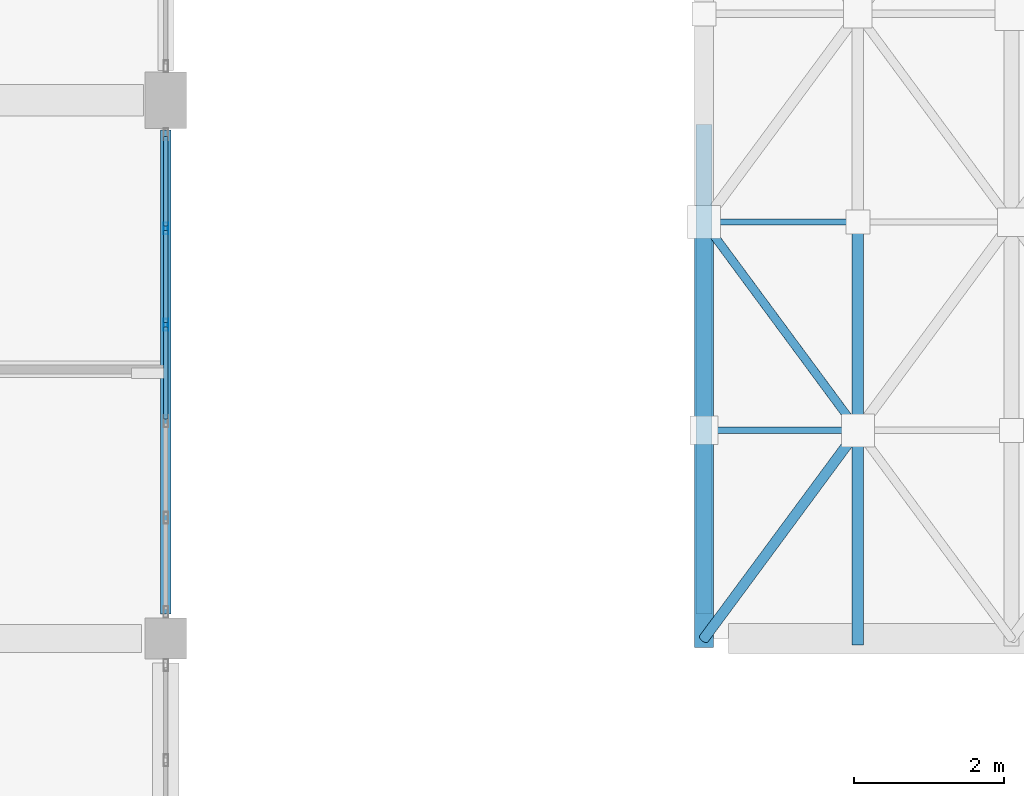
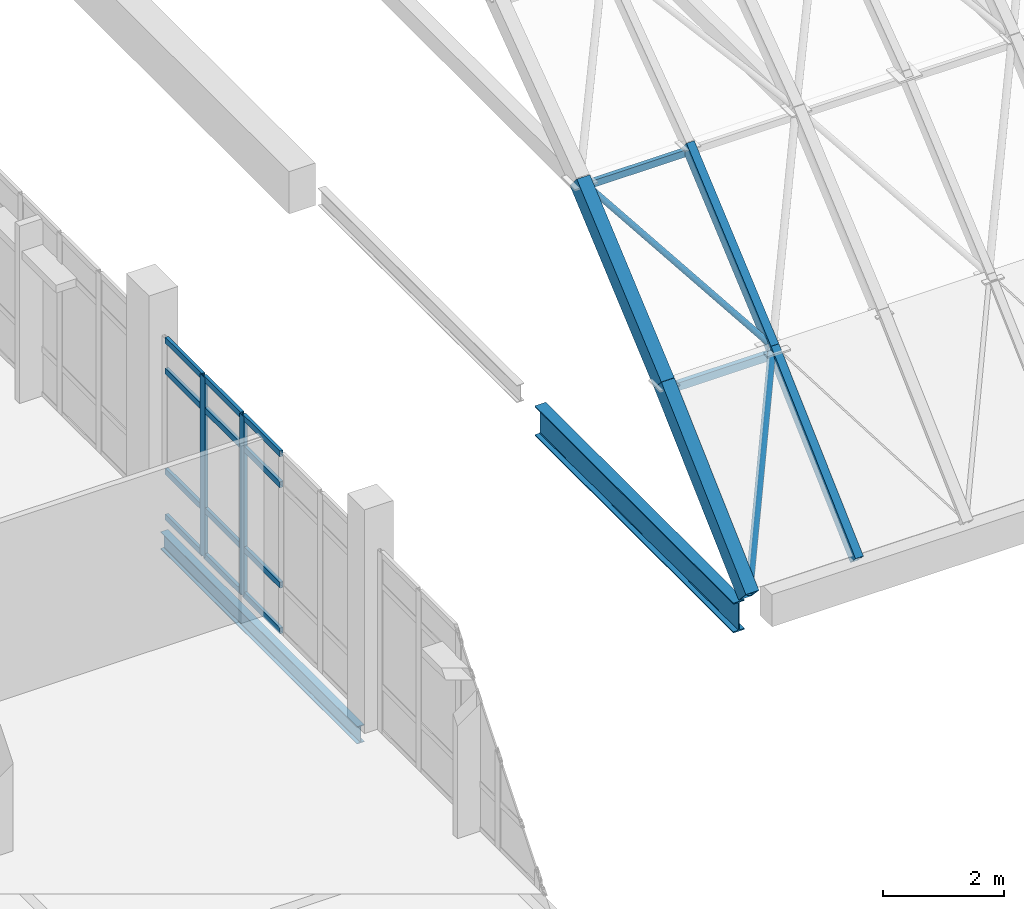
# One storey, part 22 of 87: 22 members, 2 beams, 1 element without a shape of its own.
"""IFC4 building model written with IfcOpenShell, lengths in metres."""

from ifc_helpers import new_model, si_unit, direction, frame, origin, origin_2d, place, context, subcontext, project, spatial, hollow_rectangle, hollow_circle, i_section, extrude, material, material_profile, profile_set, type_object, element, aggregate, save


model = new_model("IFC4")

# Units and contexts
model_context = context("Model", 3, precision=1e-05, world=origin(), true_north=direction((0.0, 1.0)))
body_context = subcontext(model_context, "Body", "Model", "MODEL_VIEW")
ifc_project = project(units=[si_unit("LENGTHUNIT", "METRE"), si_unit("AREAUNIT", "SQUARE_METRE"), si_unit("VOLUMEUNIT", "CUBIC_METRE"), si_unit("PLANEANGLEUNIT", "RADIAN"), si_unit("MASSUNIT", "GRAM", prefix="KILO")], contexts=[model_context])

# Site, building, storey
site_placement = place(None, origin())
site = spatial("IfcSite", under=ifc_project, at=site_placement, CompositionType="ELEMENT")
building_placement = place(site_placement, origin())
building = spatial("IfcBuilding", under=site, at=building_placement, Name="Kalluvel Institute of Natural Sciences", CompositionType="ELEMENT")
storey_placement = place(building_placement, frame((0.0, 0.0, 18.89990234375)))
storey = spatial("IfcBuildingStorey", under=building, at=storey_placement, Name="L04", CompositionType="ELEMENT", Elevation=18.89990234375)

# Beams
ifc_material_1 = material(Name="Steel E350 Grade 350", Category="steel")
ifc_material_profile_1 = material_profile(ifc_material_1, i_section(OverallWidth=0.139892578125, OverallDepth=0.35009765625, WebThickness=0.008056640625, FlangeThickness=0.01416015625, FilletRadius=0.013916015625, at=origin_2d()), Name="ISMB 350")
ifc_profile_set_1 = profile_set([ifc_material_profile_1], Name="Steel E350 Grade 350")
beam_type_1 = type_object("IfcBeamType", Name="BM-ISMB350", PredefinedType="BEAM", material=ifc_profile_set_1)
beam_1_placement = place(storey_placement, frame((35.60009765625, 71.925048828125, -0.474853515625), z_axis=(0.0, 1.0, 0.0), x_axis=(-1.0, 0.0, 0.0)))
element("IfcBeam", 1, at=beam_1_placement, inside=storey, type_object=beam_type_1, Name="L04 girder GIR-L04-NS-X356-Y716", PredefinedType="BEAM", context=body_context, shape_type="SweptSolid", body=[
    extrude(i_section(OverallWidth=0.139892578125, OverallDepth=0.35009765625, WebThickness=0.008056640625, FlangeThickness=0.01416015625, FilletRadius=0.013916015625, at=origin_2d()), origin(), (0.0, 0.0, 1.0), 6.474853515625),
])
ifc_material_profile_2 = material_profile(ifc_material_1, i_section(OverallWidth=0.2099609375, OverallDepth=0.60009765625, WebThickness=0.011962890625, FlangeThickness=0.020751953125, FilletRadius=0.02001953125, at=origin_2d()), Name="ISMB 600")
ifc_profile_set_2 = profile_set([ifc_material_profile_2], Name="Steel E350 Grade 350")
beam_type_2 = type_object("IfcBeamType", Name="BM-ISMB600", PredefinedType="BEAM", material=ifc_profile_set_2)
beam_2_placement = place(storey_placement, frame((42.800048828125, 71.925048828125, -0.619873046875), z_axis=(0.0, 1.0, 0.0), x_axis=(-1.0, 0.0, 0.0)))
element("IfcBeam", 2, at=beam_2_placement, inside=storey, type_object=beam_type_2, Name="L04 girder GIR-L04-NS-X428-Y716", PredefinedType="BEAM", context=body_context, shape_type="SweptSolid", body=[
    extrude(i_section(OverallWidth=0.2099609375, OverallDepth=0.60009765625, WebThickness=0.011962890625, FlangeThickness=0.020751953125, FilletRadius=0.02001953125, at=origin_2d()), origin(), (0.0, 0.0, 1.0), 6.550048828125),
])

# Curtain wall, members
ifc_material_2 = material(Name="Aluminium AW-6063 T6", Category="aluminium")
curtain_wall_type = type_object("IfcCurtainWallType", Name="CW-DRY-45", PredefinedType="USERDEFINED", material=ifc_material_2)
curtain_wall_placement = place(storey_placement, origin())
curtain_wall = element("IfcCurtainWall", 3, at=curtain_wall_placement, inside=storey, type_object=curtain_wall_type, Name="L04 Gothic lancet curtain wall CWA-L04-X356-Y719", ObjectType="UNITISED LANCET FACADE", PredefinedType="USERDEFINED")
ifc_material_profile_3 = material_profile(ifc_material_2, hollow_rectangle(XDim=0.06005859375, YDim=0.159912109375, WallThickness=0.00390625, at=origin_2d()), Name="CWM 60x160")
ifc_profile_set_3 = profile_set([ifc_material_profile_3], Name="Aluminium AW-6063 T6")
member_type_1 = type_object("IfcMemberType", Name="CWM-60x160", PredefinedType="MULLION", material=ifc_profile_set_3)
member_1_placement = place(storey_placement, frame((35.60009765625, 75.794921875, 0.0), z_axis=(0.0, 0.0, 1.0), x_axis=(-1.0, 0.0, 0.0)))
member_1 = element("IfcMember", 4, at=member_1_placement, type_object=member_type_1, Name="CW-03 mullion 4", PredefinedType="MULLION", context=body_context, shape_type="SweptSolid", body=[
    extrude(hollow_rectangle(XDim=0.06005859375, YDim=0.159912109375, WallThickness=0.00390625, at=origin_2d()), origin(), (0.0, 0.0, 1.0), 3.6201171875),
])
member_2_placement = place(storey_placement, frame((35.60009765625, 77.0849609375, 0.0), z_axis=(0.0, 0.0, 1.0), x_axis=(-1.0, 0.0, 0.0)))
member_2 = element("IfcMember", 5, at=member_2_placement, type_object=member_type_1, Name="CW-03 mullion 5", PredefinedType="MULLION", context=body_context, shape_type="SweptSolid", body=[
    extrude(hollow_rectangle(XDim=0.06005859375, YDim=0.159912109375, WallThickness=0.00390625, at=origin_2d()), origin(), (0.0, 0.0, 1.0), 3.6201171875),
])
ifc_material_profile_4 = material_profile(ifc_material_2, hollow_rectangle(XDim=0.06005859375, YDim=0.1201171875, WallThickness=0.00390625, at=origin_2d()), Name="CWT 60x120")
ifc_profile_set_4 = profile_set([ifc_material_profile_4], Name="Aluminium AW-6063 T6")
member_type_2 = type_object("IfcMemberType", Name="CWT-60x120", PredefinedType="USERDEFINED", material=ifc_profile_set_4)
member_3_placement = place(storey_placement, frame((35.60009765625, 74.534912109375, 0.030029296875), z_axis=(0.0, 1.0, 0.0), x_axis=(-1.0, 0.0, 0.0)))
member_3 = element("IfcMember", 6, at=member_3_placement, type_object=member_type_2, Name="CW-03 transom 3.1", ObjectType="TRANSOM", PredefinedType="USERDEFINED", context=body_context, shape_type="SweptSolid", body=[
    extrude(hollow_rectangle(XDim=0.06005859375, YDim=0.1201171875, WallThickness=0.00390625, at=origin_2d()), origin(), (0.0, 0.0, 1.0), 1.22998046875),
])
member_4_placement = place(storey_placement, frame((35.60009765625, 74.534912109375, 0.9501953125), z_axis=(0.0, 1.0, 0.0), x_axis=(-1.0, 0.0, 0.0)))
member_4 = element("IfcMember", 7, at=member_4_placement, type_object=member_type_2, Name="CW-03 transom 3.2", ObjectType="TRANSOM", PredefinedType="USERDEFINED", context=body_context, shape_type="SweptSolid", body=[
    extrude(hollow_rectangle(XDim=0.06005859375, YDim=0.1201171875, WallThickness=0.00390625, at=origin_2d()), origin(), (0.0, 0.0, 1.0), 1.22998046875),
])
member_5_placement = place(storey_placement, frame((35.60009765625, 74.534912109375, 2.97021484375), z_axis=(0.0, 1.0, 0.0), x_axis=(-1.0, 0.0, 0.0)))
member_5 = element("IfcMember", 8, at=member_5_placement, type_object=member_type_2, Name="CW-03 transom 3.3", ObjectType="TRANSOM", PredefinedType="USERDEFINED", context=body_context, shape_type="SweptSolid", body=[
    extrude(hollow_rectangle(XDim=0.06005859375, YDim=0.1201171875, WallThickness=0.00390625, at=origin_2d()), origin(), (0.0, 0.0, 1.0), 1.22998046875),
])
member_6_placement = place(storey_placement, frame((35.60009765625, 74.534912109375, 3.590087890625), z_axis=(0.0, 1.0, 0.0), x_axis=(-1.0, 0.0, 0.0)))
member_6 = element("IfcMember", 9, at=member_6_placement, type_object=member_type_2, Name="CW-03 transom 3.4", ObjectType="TRANSOM", PredefinedType="USERDEFINED", context=body_context, shape_type="SweptSolid", body=[
    extrude(hollow_rectangle(XDim=0.06005859375, YDim=0.1201171875, WallThickness=0.00390625, at=origin_2d()), origin(), (0.0, 0.0, 1.0), 1.22998046875),
])
member_7_placement = place(storey_placement, frame((35.60009765625, 75.824951171875, 0.030029296875), z_axis=(0.0, 1.0, 0.0), x_axis=(-1.0, 0.0, 0.0)))
member_7 = element("IfcMember", 10, at=member_7_placement, type_object=member_type_2, Name="CW-03 transom 4.1", ObjectType="TRANSOM", PredefinedType="USERDEFINED", context=body_context, shape_type="SweptSolid", body=[
    extrude(hollow_rectangle(XDim=0.06005859375, YDim=0.1201171875, WallThickness=0.00390625, at=origin_2d()), origin(), (0.0, 0.0, 1.0), 1.22998046875),
])
member_8_placement = place(storey_placement, frame((35.60009765625, 75.824951171875, 0.9501953125), z_axis=(0.0, 1.0, 0.0), x_axis=(-1.0, 0.0, 0.0)))
member_8 = element("IfcMember", 11, at=member_8_placement, type_object=member_type_2, Name="CW-03 transom 4.2", ObjectType="TRANSOM", PredefinedType="USERDEFINED", context=body_context, shape_type="SweptSolid", body=[
    extrude(hollow_rectangle(XDim=0.06005859375, YDim=0.1201171875, WallThickness=0.00390625, at=origin_2d()), origin(), (0.0, 0.0, 1.0), 1.22998046875),
])
member_9_placement = place(storey_placement, frame((35.60009765625, 75.824951171875, 2.97021484375), z_axis=(0.0, 1.0, 0.0), x_axis=(-1.0, 0.0, 0.0)))
member_9 = element("IfcMember", 12, at=member_9_placement, type_object=member_type_2, Name="CW-03 transom 4.3", ObjectType="TRANSOM", PredefinedType="USERDEFINED", context=body_context, shape_type="SweptSolid", body=[
    extrude(hollow_rectangle(XDim=0.06005859375, YDim=0.1201171875, WallThickness=0.00390625, at=origin_2d()), origin(), (0.0, 0.0, 1.0), 1.22998046875),
])
member_10_placement = place(storey_placement, frame((35.60009765625, 75.824951171875, 3.590087890625), z_axis=(0.0, 1.0, 0.0), x_axis=(-1.0, 0.0, 0.0)))
member_10 = element("IfcMember", 13, at=member_10_placement, type_object=member_type_2, Name="CW-03 transom 4.4", ObjectType="TRANSOM", PredefinedType="USERDEFINED", context=body_context, shape_type="SweptSolid", body=[
    extrude(hollow_rectangle(XDim=0.06005859375, YDim=0.1201171875, WallThickness=0.00390625, at=origin_2d()), origin(), (0.0, 0.0, 1.0), 1.22998046875),
])
member_11_placement = place(storey_placement, frame((35.60009765625, 77.114990234375, 0.030029296875), z_axis=(0.0, 1.0, 0.0), x_axis=(-1.0, 0.0, 0.0)))
member_11 = element("IfcMember", 14, at=member_11_placement, type_object=member_type_2, Name="CW-03 transom 5.1", ObjectType="TRANSOM", PredefinedType="USERDEFINED", context=body_context, shape_type="SweptSolid", body=[
    extrude(hollow_rectangle(XDim=0.06005859375, YDim=0.1201171875, WallThickness=0.00390625, at=origin_2d()), origin(), (0.0, 0.0, 1.0), 1.199951171875),
])
member_12_placement = place(storey_placement, frame((35.60009765625, 77.114990234375, 0.9501953125), z_axis=(0.0, 1.0, 0.0), x_axis=(-1.0, 0.0, 0.0)))
member_12 = element("IfcMember", 15, at=member_12_placement, type_object=member_type_2, Name="CW-03 transom 5.2", ObjectType="TRANSOM", PredefinedType="USERDEFINED", context=body_context, shape_type="SweptSolid", body=[
    extrude(hollow_rectangle(XDim=0.06005859375, YDim=0.1201171875, WallThickness=0.00390625, at=origin_2d()), origin(), (0.0, 0.0, 1.0), 1.199951171875),
])
member_13_placement = place(storey_placement, frame((35.60009765625, 77.114990234375, 2.97021484375), z_axis=(0.0, 1.0, 0.0), x_axis=(-1.0, 0.0, 0.0)))
member_13 = element("IfcMember", 16, at=member_13_placement, type_object=member_type_2, Name="CW-03 transom 5.3", ObjectType="TRANSOM", PredefinedType="USERDEFINED", context=body_context, shape_type="SweptSolid", body=[
    extrude(hollow_rectangle(XDim=0.06005859375, YDim=0.1201171875, WallThickness=0.00390625, at=origin_2d()), origin(), (0.0, 0.0, 1.0), 1.199951171875),
])
member_14_placement = place(storey_placement, frame((35.60009765625, 77.114990234375, 3.590087890625), z_axis=(0.0, 1.0, 0.0), x_axis=(-1.0, 0.0, 0.0)))
member_14 = element("IfcMember", 17, at=member_14_placement, type_object=member_type_2, Name="CW-03 transom 5.4", ObjectType="TRANSOM", PredefinedType="USERDEFINED", context=body_context, shape_type="SweptSolid", body=[
    extrude(hollow_rectangle(XDim=0.06005859375, YDim=0.1201171875, WallThickness=0.00390625, at=origin_2d()), origin(), (0.0, 0.0, 1.0), 1.199951171875),
])
aggregate(curtain_wall, [member_1, member_2, member_3, member_4, member_5, member_6, member_7, member_8, member_9, member_10, member_11, member_12, member_13, member_14])

# Members
ifc_material_profile_5 = material_profile(ifc_material_1, hollow_rectangle(XDim=0.14990234375, YDim=0.25, WallThickness=0.010009765625, at=origin_2d()), Name="RHS 250x150x10")
ifc_profile_set_5 = profile_set([ifc_material_profile_5], Name="Steel E350 Grade 350")
member_type_3 = type_object("IfcMemberType", Name="MB-ARCH-SEG250", PredefinedType="USERDEFINED", material=ifc_profile_set_5)
member_15_placement = place(storey_placement, frame((44.857177734375, 71.60009765625, 0.0), z_axis=(0.0, 0.733088696682, 0.680133047864), x_axis=(-1.0, 0.0, 0.0)))
element("IfcMember", 18, at=member_15_placement, inside=storey, type_object=member_type_3, Name="Atrium gridshell pointed arch segment 9", ObjectType="ARCH_SEGMENT", PredefinedType="USERDEFINED", context=body_context, shape_type="SweptSolid", body=[
    extrude(hollow_rectangle(XDim=0.14990234375, YDim=0.25, WallThickness=0.010009765625, at=origin_2d()), origin(), (0.0, 0.0, 1.0), 3.798828125),
])
member_16_placement = place(storey_placement, frame((44.857177734375, 74.385009765625, 2.583740234375), z_axis=(0.0, 0.758448754264, 0.651732680748), x_axis=(-1.0, 0.0, 0.0)))
element("IfcMember", 19, at=member_16_placement, inside=storey, type_object=member_type_3, Name="Atrium gridshell pointed arch segment 10", ObjectType="ARCH_SEGMENT", PredefinedType="USERDEFINED", context=body_context, shape_type="SweptSolid", body=[
    extrude(hollow_rectangle(XDim=0.14990234375, YDim=0.25, WallThickness=0.010009765625, at=origin_2d()), origin(), (0.0, 0.0, 1.0), 3.671875),
])
ifc_material_profile_6 = material_profile(ifc_material_1, hollow_rectangle(XDim=0.25, YDim=0.35009765625, WallThickness=0.012451171875, at=origin_2d()), Name="RHS 350x250x12")
ifc_profile_set_6 = profile_set([ifc_material_profile_6], Name="Steel E350 Grade 350")
member_type_4 = type_object("IfcMemberType", Name="MB-ARCH-SEG350", PredefinedType="USERDEFINED", material=ifc_profile_set_6)
member_17_placement = place(storey_placement, frame((42.800048828125, 71.60009765625, 0.0), z_axis=(0.0, 0.733088696682, 0.680133047864), x_axis=(-1.0, 0.0, 0.0)))
element("IfcMember", 20, at=member_17_placement, inside=storey, type_object=member_type_4, Name="Atrium gridshell pointed arch segment 1", ObjectType="ARCH_SEGMENT", PredefinedType="USERDEFINED", context=body_context, shape_type="SweptSolid", body=[
    extrude(hollow_rectangle(XDim=0.25, YDim=0.35009765625, WallThickness=0.012451171875, at=origin_2d()), origin(), (0.0, 0.0, 1.0), 3.798828125),
])
member_18_placement = place(storey_placement, frame((42.800048828125, 74.385009765625, 2.583740234375), z_axis=(0.0, 0.758448754264, 0.651732680748), x_axis=(-1.0, 0.0, 0.0)))
element("IfcMember", 21, at=member_18_placement, inside=storey, type_object=member_type_4, Name="Atrium gridshell pointed arch segment 2", ObjectType="ARCH_SEGMENT", PredefinedType="USERDEFINED", context=body_context, shape_type="SweptSolid", body=[
    extrude(hollow_rectangle(XDim=0.25, YDim=0.35009765625, WallThickness=0.012451171875, at=origin_2d()), origin(), (0.0, 0.0, 1.0), 3.671875),
])
ifc_material_profile_7 = material_profile(ifc_material_1, hollow_circle(Radius=0.05712890625, WallThickness=0.006103515625, at=origin_2d()), Name="CHS 114.3x6.0")
ifc_profile_set_7 = profile_set([ifc_material_profile_7], Name="Steel E350 Grade 350")
member_type_5 = type_object("IfcMemberType", Name="MB-BR-CHS114", PredefinedType="BRACE", material=ifc_profile_set_7)
member_19_placement = place(storey_placement, frame((44.857177734375, 74.385009765625, 2.603759765625), z_axis=(-0.488764589812, 0.661682610489, 0.568581831158), x_axis=(-0.804353425168, -0.594151131802, 0.0)))
element("IfcMember", 22, at=member_19_placement, inside=storey, type_object=member_type_5, Name="Atrium gridshell diagonal brace 2", PredefinedType="BRACE", context=body_context, shape_type="SweptSolid", body=[
    extrude(hollow_circle(Radius=0.05712890625, WallThickness=0.006103515625, at=origin_2d()), origin(), (0.0, 0.0, 1.0), 4.208740234375),
])
ifc_material_profile_8 = material_profile(ifc_material_1, hollow_circle(Radius=0.06982421875, WallThickness=0.008056640625, at=origin_2d()), Name="CHS 139.7x8.0")
ifc_profile_set_8 = profile_set([ifc_material_profile_8], Name="Steel E350 Grade 350")
member_type_6 = type_object("IfcMemberType", Name="MB-BR-CHS139", PredefinedType="BRACE", material=ifc_profile_set_8)
member_20_placement = place(storey_placement, frame((42.800048828125, 71.60009765625, 0.02001953125), z_axis=(0.476176678593, 0.644641273761, 0.598074743597), x_axis=(-0.804353425168, 0.594151131802, 0.0)))
element("IfcMember", 23, at=member_20_placement, inside=storey, type_object=member_type_6, Name="Atrium gridshell diagonal brace 1", PredefinedType="BRACE", context=body_context, shape_type="SweptSolid", body=[
    extrude(hollow_circle(Radius=0.06982421875, WallThickness=0.008056640625, at=origin_2d()), origin(), (0.0, 0.0, 1.0), 4.320068359375),
])
ifc_material_profile_9 = material_profile(ifc_material_1, hollow_rectangle(XDim=0.080078125, YDim=0.139892578125, WallThickness=0.006103515625, at=origin_2d()), Name="RHS 140x80x6")
ifc_profile_set_9 = profile_set([ifc_material_profile_9], Name="Steel E350 Grade 350")
member_type_7 = type_object("IfcMemberType", Name="MB-PURL-RHS140", PredefinedType="PURLIN", material=ifc_profile_set_9)
member_21_placement = place(storey_placement, frame((42.800048828125, 77.169921875, 4.8369140625), z_axis=(1.0, 0.0, 0.0), x_axis=(0.0, 1.0, 0.0)))
element("IfcMember", 24, at=member_21_placement, inside=storey, type_object=member_type_7, Name="Atrium gridshell longitudinal purlin 2", PredefinedType="PURLIN", context=body_context, shape_type="SweptSolid", body=[
    extrude(hollow_rectangle(XDim=0.080078125, YDim=0.139892578125, WallThickness=0.006103515625, at=origin_2d()), origin(), (0.0, 0.0, 1.0), 2.05712890625),
])
ifc_material_profile_10 = material_profile(ifc_material_1, hollow_rectangle(XDim=0.090087890625, YDim=0.159912109375, WallThickness=0.008056640625, at=origin_2d()), Name="RHS 160x90x8")
ifc_profile_set_10 = profile_set([ifc_material_profile_10], Name="Steel E350 Grade 350")
member_type_8 = type_object("IfcMemberType", Name="MB-PURL-RHS160", PredefinedType="PURLIN", material=ifc_profile_set_10)
member_22_placement = place(storey_placement, frame((42.800048828125, 74.385009765625, 2.443603515625), z_axis=(1.0, 0.0, 0.0), x_axis=(0.0, 1.0, 0.0)))
element("IfcMember", 25, at=member_22_placement, inside=storey, type_object=member_type_8, Name="Atrium gridshell longitudinal purlin 1", PredefinedType="PURLIN", context=body_context, shape_type="SweptSolid", body=[
    extrude(hollow_rectangle(XDim=0.090087890625, YDim=0.159912109375, WallThickness=0.008056640625, at=origin_2d()), origin(), (0.0, 0.0, 1.0), 2.05712890625),
])

save(model, "model.ifc")
